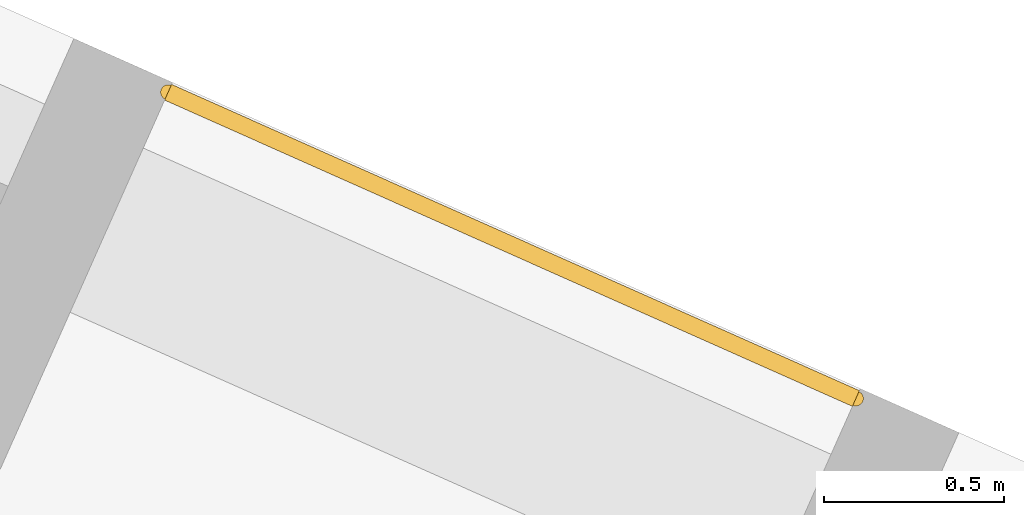
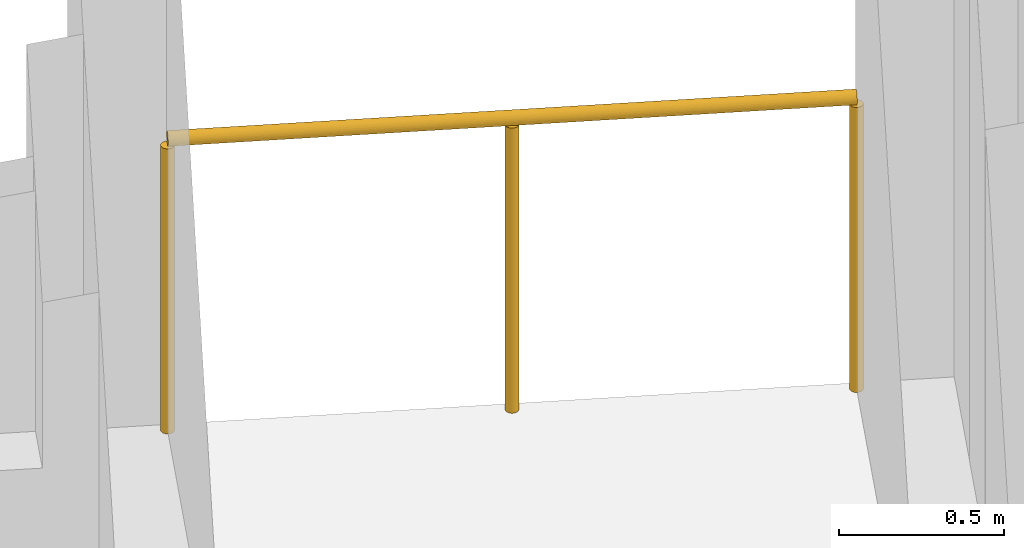
# One storey, part 14 of 14: 1 railing.
"""IFC4 building model written with IfcOpenShell, lengths in metres."""

from ifc_helpers import new_model, si_unit, direction, frame, origin, origin_2d, place, context, subcontext, project, spatial, circle, extrude, material, type_object, element, save


model = new_model("IFC4")

# Units and contexts
model_context = context("Model", 3, precision=1e-05, world=origin(), true_north=direction((0.0, 1.0)))
body_context = subcontext(model_context, "Body", "Model", "MODEL_VIEW")
ifc_project = project(units=[si_unit("LENGTHUNIT", "METRE"), si_unit("AREAUNIT", "SQUARE_METRE"), si_unit("VOLUMEUNIT", "CUBIC_METRE"), si_unit("PLANEANGLEUNIT", "RADIAN"), si_unit("MASSUNIT", "GRAM", prefix="KILO")], contexts=[model_context])

# Site, building, storey
site_placement = place(None, origin())
site = spatial("IfcSite", under=ifc_project, at=site_placement, CompositionType="ELEMENT")
building_placement = place(site_placement, origin())
building = spatial("IfcBuilding", under=site, at=building_placement, Name="Tramontana Tower", CompositionType="ELEMENT")
storey_placement = place(building_placement, frame((0.0, 0.0, 182.800048828125)))
storey = spatial("IfcBuildingStorey", under=building, at=storey_placement, Name="L42", CompositionType="ELEMENT", Elevation=182.800048828125)

# Railing
ifc_material = material(Name="Laminated glass balustrade", Category="glass")
railing_type = type_object("IfcRailingType", Name="GD1 Loggia glass balustrade 1100", PredefinedType="BALUSTRADE", material=ifc_material)
railing_placement = place(storey_placement, frame((26.319091796875, 6.85791015625, 0.0)))
element("IfcRailing", 1, at=railing_placement, inside=storey, type_object=railing_type, Name="Loggia balustrade L42 G4S2.1", PredefinedType="BALUSTRADE", context=body_context, shape_type="SweptSolid", body=[
    extrude(circle(Radius=0.02392578125, at=origin_2d()), frame((0.0, 0.0, 1.076171875), z_axis=(-0.913537312596, 0.406754936657, 0.0), x_axis=(-0.406754936657, -0.913537312596, 0.0)), (0.0, 0.0, 1.0), 2.09423828125),
    extrude(circle(Radius=0.02099609375, at=origin_2d()), origin(), (0.0, 0.0, 1.0), 1.052001953125),
    extrude(circle(Radius=0.02099609375, at=origin_2d()), frame((-0.95654296875, 0.42578125, 0.0)), (0.0, 0.0, 1.0), 1.052001953125),
    extrude(circle(Radius=0.02099609375, at=origin_2d()), frame((-1.9130859375, 0.851806640625, 0.0)), (0.0, 0.0, 1.0), 1.052001953125),
])

save(model, "model.ifc")
